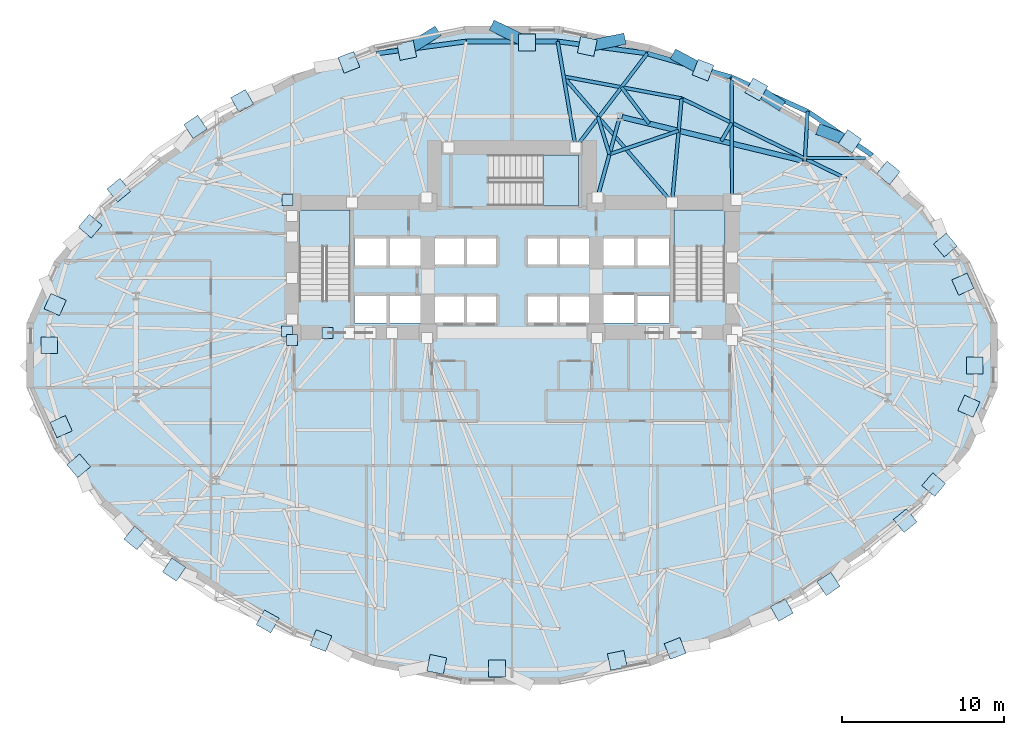
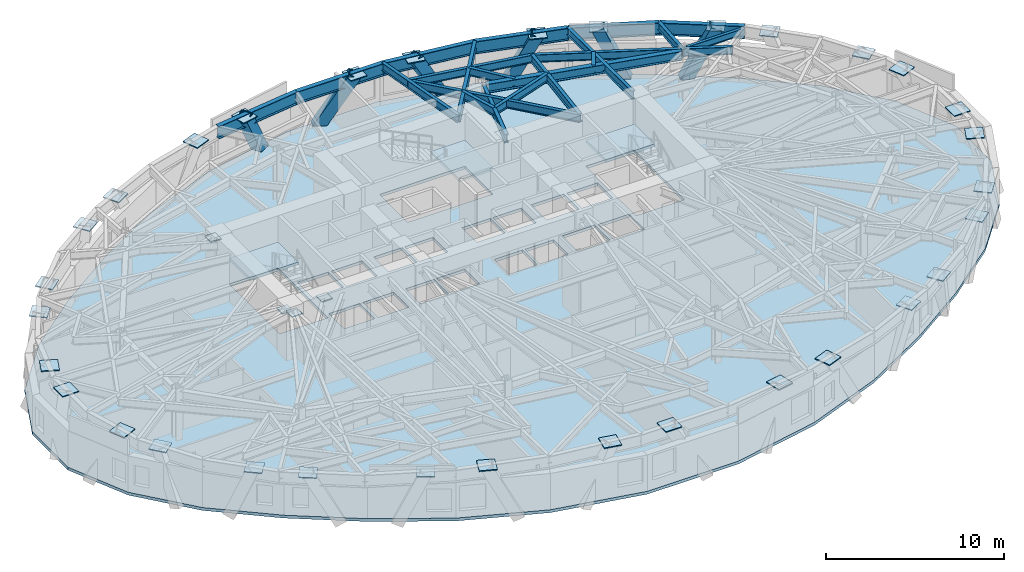
# One storey, part 5 of 14: 36 plates, 21 beams, 6 members, 4 slabs, 3 elements without a shape of their own.
"""IFC4 building model written with IfcOpenShell, lengths in metres."""

from ifc_helpers import new_model, si_unit, direction, frame, origin, origin_2d, place, context, subcontext, project, spatial, polyline, rectangle, hollow_rectangle, i_section, outline, extrude, material, layer, layer_set, material_profile, profile_set, type_object, element, aggregate, save


model = new_model("IFC4")

# Units and contexts
model_context = context("Model", 3, precision=1e-05, world=origin(), true_north=direction((0.0, 1.0)))
body_context = subcontext(model_context, "Body", "Model", "MODEL_VIEW")
ifc_project = project(units=[si_unit("LENGTHUNIT", "METRE"), si_unit("AREAUNIT", "SQUARE_METRE"), si_unit("VOLUMEUNIT", "CUBIC_METRE"), si_unit("PLANEANGLEUNIT", "RADIAN"), si_unit("MASSUNIT", "GRAM", prefix="KILO")], contexts=[model_context])

# Site, building, storey
site_placement = place(None, origin())
site = spatial("IfcSite", under=ifc_project, at=site_placement, CompositionType="ELEMENT")
building_placement = place(site_placement, origin())
building = spatial("IfcBuilding", under=site, at=building_placement, Name="Keldmark Tower", CompositionType="ELEMENT")
storey_placement = place(building_placement, frame((0.0, 0.0, 73.800048828125)))
storey = spatial("IfcBuildingStorey", under=building, at=storey_placement, Name="L19", CompositionType="ELEMENT", Elevation=73.800048828125)

# Beam
ifc_material_1 = material(Name="Steel ASTM A992 Grade 50", Category="steel")
ifc_material_profile_1 = material_profile(ifc_material_1, i_section(OverallWidth=0.19091796875, OverallDepth=0.45703125, WebThickness=0.009033203125, FlangeThickness=0.014404296875, at=origin_2d()), Name="W18X50")
ifc_profile_set_1 = profile_set([ifc_material_profile_1], Name="Steel ASTM A992 Grade 50")
beam_type_1 = type_object("IfcBeamType", Name="Composite Floor Joist W18X50", PredefinedType="JOIST", material=ifc_profile_set_1)
beam_1_placement = place(storey_placement, frame((18.265869140625, 12.199951171875, 3.13134765625), z_axis=(1.0, 0.0, 0.0), x_axis=(0.0, 1.0, 0.0)))
element("IfcBeam", 1, at=beam_1_placement, inside=storey, type_object=beam_type_1, Name="L19 Composite Floor Joist J10", PredefinedType="JOIST", context=body_context, shape_type="SweptSolid", body=[
    extrude(i_section(OverallWidth=0.19091796875, OverallDepth=0.45703125, WebThickness=0.009033203125, FlangeThickness=0.014404296875, at=origin_2d()), origin(), (0.0, 0.0, 1.0), 3.595703125),
])

# Members
ifc_material_2 = material(Name="Steel ASTM A572 Grade 50", Category="steel")
ifc_material_profile_2 = material_profile(ifc_material_2, hollow_rectangle(XDim=0.699951171875, YDim=0.699951171875, WallThickness=0.054931640625, at=origin_2d()), Name="BOX700X700X55")
ifc_profile_set_2 = profile_set([ifc_material_profile_2], Name="Steel ASTM A572 Grade 50")
member_type = type_object("IfcMemberType", Name="Diagrid Zone 1 Brace BOX700X700X55", PredefinedType="BRACE", material=ifc_profile_set_2)
member_1_placement = place(storey_placement, frame((19.180908203125, 13.884765625, -0.280029296875), z_axis=(0.429924203582, -0.164223410334, 0.887803948331), x_axis=(0.356835319894, 0.934167305399, 0.0)))
element("IfcMember", 2, at=member_1_placement, inside=storey, type_object=member_type, Name="L19 Perimeter Diagrid Brace 02B", PredefinedType="BRACE", context=body_context, shape_type="SweptSolid", body=[
    extrude(hollow_rectangle(XDim=0.699951171875, YDim=0.699951171875, WallThickness=0.054931640625, at=origin_2d()), origin(), (0.0, 0.0, 1.0), 3.96484375),
])
member_2_placement = place(storey_placement, frame((16.43994140625, 15.572509765625, -0.280029296875), z_axis=(-0.345986068701, 0.225266810478, 0.910795533784), x_axis=(-0.54562819209, -0.838027371866, 0.0)))
element("IfcMember", 3, at=member_2_placement, inside=storey, type_object=member_type, Name="L19 Perimeter Diagrid Brace 03A", PredefinedType="BRACE", context=body_context, shape_type="SweptSolid", body=[
    extrude(hollow_rectangle(XDim=0.699951171875, YDim=0.699951171875, WallThickness=0.054931640625, at=origin_2d()), origin(), (0.0, 0.0, 1.0), 3.86474609375),
])
member_3_placement = place(storey_placement, frame((10.224365234375, 18.485595703125, -0.280029296875), z_axis=(0.400836496544, -0.215887288849, 0.890349808531), x_axis=(0.474188793854, 0.880423186759, 0.0)))
element("IfcMember", 4, at=member_3_placement, inside=storey, type_object=member_type, Name="L19 Perimeter Diagrid Brace 03B", PredefinedType="BRACE", context=body_context, shape_type="SweptSolid", body=[
    extrude(hollow_rectangle(XDim=0.699951171875, YDim=0.699951171875, WallThickness=0.054931640625, at=origin_2d()), origin(), (0.0, 0.0, 1.0), 3.95361328125),
])
member_4_placement = place(storey_placement, frame((6.690185546875, 19.51611328125, -0.280029296875), z_axis=(-0.498603560791, -0.101738769918, 0.860838958146), x_axis=(0.19992782981, -0.979810626023, 0.0)))
element("IfcMember", 5, at=member_4_placement, inside=storey, type_object=member_type, Name="L19 Perimeter Diagrid Brace 04A", PredefinedType="BRACE", context=body_context, shape_type="SweptSolid", body=[
    extrude(hollow_rectangle(XDim=0.699951171875, YDim=0.699951171875, WallThickness=0.054931640625, at=origin_2d()), origin(), (0.0, 0.0, 1.0), 4.089111328125),
])
member_5_placement = place(storey_placement, frame((-0.990966796875, 20.28564453125, -0.280029296875), z_axis=(0.467374178773, -0.227910820857, 0.85417681703), x_axis=(0.438304657062, 0.898826472462, 0.0)))
element("IfcMember", 6, at=member_5_placement, inside=storey, type_object=member_type, Name="L19 Perimeter Diagrid Brace 04B", PredefinedType="BRACE", context=body_context, shape_type="SweptSolid", body=[
    extrude(hollow_rectangle(XDim=0.699951171875, YDim=0.699951171875, WallThickness=0.054931640625, at=origin_2d()), origin(), (0.0, 0.0, 1.0), 4.120849609375),
])
member_6_placement = place(storey_placement, frame((-4.825439453125, 19.899658203125, -0.280029296875), z_axis=(-0.416541239689, -0.259990855002, 0.871147605721), x_axis=(0.529490047926, -0.848316149291, 0.0)))
element("IfcMember", 7, at=member_6_placement, inside=storey, type_object=member_type, Name="L19 Perimeter Diagrid Brace 05A", PredefinedType="BRACE", context=body_context, shape_type="SweptSolid", body=[
    extrude(hollow_rectangle(XDim=0.699951171875, YDim=0.699951171875, WallThickness=0.054931640625, at=origin_2d()), origin(), (0.0, 0.0, 1.0), 4.040771484375),
])

# Beams
ifc_material_3 = material(Name="Steel ASTM A992 Grade 50", Category="steel")
ifc_material_profile_3 = material_profile(ifc_material_3, i_section(OverallWidth=0.323974609375, OverallDepth=0.611083984375, WebThickness=0.0126953125, FlangeThickness=0.01904296875, at=origin_2d()), Name="W24X104")
ifc_profile_set_3 = profile_set([ifc_material_profile_3], Name="Steel ASTM A992 Grade 50")
beam_type_2 = type_object("IfcBeamType", Name="Primary Floor Girder W24X104", PredefinedType="BEAM", material=ifc_profile_set_3)
beam_2_placement = place(storey_placement, frame((17.961669921875, 12.040283203125, 3.054443359375), z_axis=(-0.972218707757, 0.2340743136, 0.0), x_axis=(-0.2340743136, -0.972218707757, 0.0)))
element("IfcBeam", 8, at=beam_2_placement, inside=storey, type_object=beam_type_2, Name="L19 Floor Ring Girder FG-R02", PredefinedType="BEAM", context=body_context, shape_type="SweptSolid", body=[
    extrude(i_section(OverallWidth=0.323974609375, OverallDepth=0.611083984375, WebThickness=0.0126953125, FlangeThickness=0.01904296875, at=origin_2d()), origin(), (0.0, 0.0, 1.0), 11.479248046875),
])
ifc_material_4 = material(Name="Steel ASTM A992 Grade 50", Category="steel")
ifc_material_profile_4 = material_profile(ifc_material_4, i_section(OverallWidth=0.2099609375, OverallDepth=0.537109375, WebThickness=0.010986328125, FlangeThickness=0.017333984375, at=origin_2d()), Name="W21X68")
ifc_profile_set_4 = profile_set([ifc_material_profile_4], Name="Steel ASTM A992 Grade 50")
beam_type_3 = type_object("IfcBeamType", Name="Radial Tie Girder W21X68", PredefinedType="BEAM", material=ifc_profile_set_4)
beam_3_placement = place(storey_placement, frame((6.023681640625, 12.43505859375, 3.091552734375), z_axis=(0.94705974937, 0.321057364225, 0.0), x_axis=(-0.321057364225, 0.94705974937, 0.0)))
element("IfcBeam", 9, at=beam_3_placement, inside=storey, type_object=beam_type_3, Name="L19 Framing Pin Header PH-002", PredefinedType="BEAM", context=body_context, shape_type="SweptSolid", body=[
    extrude(i_section(OverallWidth=0.2099609375, OverallDepth=0.537109375, WebThickness=0.010986328125, FlangeThickness=0.017333984375, at=origin_2d()), origin(), (0.0, 0.0, 1.0), 4.515380859375),
])
beam_4_placement = place(storey_placement, frame((9.892822265625, 9.449951171875, 3.091552734375), z_axis=(0.091445392317, 0.995810092449, 0.0), x_axis=(-0.995810092449, 0.091445392317, 0.0)))
element("IfcBeam", 10, at=beam_4_placement, inside=storey, type_object=beam_type_3, Name="L19 Sub-Ring Step Girder STP1-M02", PredefinedType="BEAM", context=body_context, shape_type="SweptSolid", body=[
    extrude(i_section(OverallWidth=0.2099609375, OverallDepth=0.537109375, WebThickness=0.010986328125, FlangeThickness=0.017333984375, at=origin_2d()), origin(), (0.0, 0.0, 1.0), 6.4609375),
])
beam_5_placement = place(storey_placement, frame((6.023681640625, 12.43505859375, 3.091552734375), z_axis=(-0.292695535951, 0.956205690861, 0.0), x_axis=(-0.956205690861, -0.292695535951, 0.0)))
element("IfcBeam", 11, at=beam_5_placement, inside=storey, type_object=beam_type_3, Name="L19 Framing Pin Header PH-003", PredefinedType="BEAM", context=body_context, shape_type="SweptSolid", body=[
    extrude(i_section(OverallWidth=0.2099609375, OverallDepth=0.537109375, WebThickness=0.010986328125, FlangeThickness=0.017333984375, at=origin_2d()), origin(), (0.0, 0.0, 1.0), 2.431396484375),
])
beam_6_placement = place(storey_placement, frame((9.892822265625, 9.449951171875, 3.091552734375), z_axis=(-0.653199645418, 0.757185725714, 0.0), x_axis=(-0.757185725714, -0.653199645418, 0.0)))
element("IfcBeam", 12, at=beam_6_placement, inside=storey, type_object=beam_type_3, Name="L19 Sub-Ring Step Girder STP1-M03", PredefinedType="BEAM", context=body_context, shape_type="SweptSolid", body=[
    extrude(i_section(OverallWidth=0.2099609375, OverallDepth=0.537109375, WebThickness=0.010986328125, FlangeThickness=0.017333984375, at=origin_2d()), origin(), (0.0, 0.0, 1.0), 10.2880859375),
])
beam_7_placement = place(storey_placement, frame((20.64306640625, 10.931396484375, 3.091552734375), z_axis=(-0.898887784258, 0.438178903316, 0.0), x_axis=(-0.438178903316, -0.898887784258, 0.0)))
element("IfcBeam", 13, at=beam_7_placement, inside=storey, type_object=beam_type_3, Name="L19 Perimeter Collector Ring Beam CRG1-M01", PredefinedType="BEAM", context=body_context, shape_type="SweptSolid", body=[
    extrude(i_section(OverallWidth=0.2099609375, OverallDepth=0.537109375, WebThickness=0.010986328125, FlangeThickness=0.017333984375, at=origin_2d()), origin(), (0.0, 0.0, 1.0), 11.30224609375),
])
beam_8_placement = place(storey_placement, frame((10.483642578125, 15.8837890625, 3.091552734375), z_axis=(-0.983226438752, 0.182389062555, 0.0), x_axis=(-0.182389062555, -0.983226438752, 0.0)))
element("IfcBeam", 14, at=beam_8_placement, inside=storey, type_object=beam_type_3, Name="L19 Perimeter Collector Ring Beam CRG1-M02", PredefinedType="BEAM", context=body_context, shape_type="SweptSolid", body=[
    extrude(i_section(OverallWidth=0.2099609375, OverallDepth=0.537109375, WebThickness=0.010986328125, FlangeThickness=0.017333984375, at=origin_2d()), origin(), (0.0, 0.0, 1.0), 7.435791015625),
])
beam_9_placement = place(storey_placement, frame((18.09765625, 12.00732421875, 3.091552734375), z_axis=(0.056280082342, 0.998415020085, 0.0), x_axis=(-0.998415020085, 0.056280082342, 0.0)))
element("IfcBeam", 15, at=beam_9_placement, inside=storey, type_object=beam_type_3, Name="L19 Perimeter Column Bracket RT-05", PredefinedType="BEAM", context=body_context, shape_type="SweptSolid", body=[
    extrude(i_section(OverallWidth=0.2099609375, OverallDepth=0.537109375, WebThickness=0.010986328125, FlangeThickness=0.017333984375, at=origin_2d()), origin(), (0.0, 0.0, 1.0), 3.0712890625),
])
beam_10_placement = place(storey_placement, frame((12.939453125, 13.249267578125, 3.091552734375), z_axis=(0.498857172515, 0.866684210904, 0.0), x_axis=(-0.866684210904, 0.498857172515, 0.0)))
element("IfcBeam", 16, at=beam_10_placement, inside=storey, type_object=beam_type_3, Name="L19 Framing Pin Header PH-018", PredefinedType="BEAM", context=body_context, shape_type="SweptSolid", body=[
    extrude(i_section(OverallWidth=0.2099609375, OverallDepth=0.537109375, WebThickness=0.010986328125, FlangeThickness=0.017333984375, at=origin_2d()), origin(), (0.0, 0.0, 1.0), 1.294921875),
])
beam_11_placement = place(storey_placement, frame((13.60009765625, 9.89990234375, 3.091552734375), z_axis=(-0.003278561216, 0.999994625504, 0.0), x_axis=(-0.999994625504, -0.003278561216, 0.0)))
element("IfcBeam", 17, at=beam_11_placement, inside=storey, type_object=beam_type_3, Name="L19 Perimeter Radial Tie Girder RT-06", PredefinedType="BEAM", context=body_context, shape_type="SweptSolid", body=[
    extrude(i_section(OverallWidth=0.2099609375, OverallDepth=0.537109375, WebThickness=0.010986328125, FlangeThickness=0.017333984375, at=origin_2d()), origin(), (0.0, 0.0, 1.0), 7.297607421875),
])
beam_12_placement = place(storey_placement, frame((8.475341796875, 14.32421875, 3.091552734375), z_axis=(-0.604104239803, 0.796905306453, 0.0), x_axis=(-0.796905306453, -0.604104239803, 0.0)))
element("IfcBeam", 18, at=beam_12_placement, inside=storey, type_object=beam_type_3, Name="L19 Framing Pin Header PH-019", PredefinedType="BEAM", context=body_context, shape_type="SweptSolid", body=[
    extrude(i_section(OverallWidth=0.2099609375, OverallDepth=0.537109375, WebThickness=0.010986328125, FlangeThickness=0.017333984375, at=origin_2d()), origin(), (0.0, 0.0, 1.0), 2.8212890625),
])
beam_13_placement = place(storey_placement, frame((3.9375, 12.85009765625, 3.091552734375), z_axis=(0.605671432764, 0.795714845616, 0.0), x_axis=(-0.795714845616, 0.605671432764, 0.0)))
element("IfcBeam", 19, at=beam_13_placement, inside=storey, type_object=beam_type_3, Name="L19 Perimeter Radial Tie Girder RT-07", PredefinedType="BEAM", context=body_context, shape_type="SweptSolid", body=[
    extrude(i_section(OverallWidth=0.2099609375, OverallDepth=0.537109375, WebThickness=0.010986328125, FlangeThickness=0.017333984375, at=origin_2d()), origin(), (0.0, 0.0, 1.0), 7.302001953125),
])
beam_14_placement = place(storey_placement, frame((3.9375, 12.85009765625, 3.091552734375), z_axis=(-0.167595137115, 0.985855907329, 0.0), x_axis=(-0.985855907329, -0.167595137115, 0.0)))
element("IfcBeam", 20, at=beam_14_placement, inside=storey, type_object=beam_type_3, Name="L19 Perimeter Radial Tie Girder RT-08", PredefinedType="BEAM", context=body_context, shape_type="SweptSolid", body=[
    extrude(i_section(OverallWidth=0.2099609375, OverallDepth=0.537109375, WebThickness=0.010986328125, FlangeThickness=0.017333984375, at=origin_2d()), origin(), (0.0, 0.0, 1.0), 6.64990234375),
])
ifc_material_5 = material(Name="Steel ASTM A992 Grade 50", Category="steel")
ifc_material_profile_5 = material_profile(ifc_material_5, i_section(OverallWidth=0.214111328125, OverallDepth=0.549072265625, WebThickness=0.0146484375, FlangeThickness=0.023681640625, at=origin_2d()), Name="W21X93")
ifc_profile_set_5 = profile_set([ifc_material_profile_5], Name="Steel ASTM A992 Grade 50")
beam_type_4 = type_object("IfcBeamType", Name="Radial Tie Girder W21X93", PredefinedType="BEAM", material=ifc_profile_set_5)
beam_15_placement = place(storey_placement, frame((6.6279296875, 14.625, 3.08544921875), z_axis=(-0.265984786353, -0.963977226613, 0.0), x_axis=(0.963977226613, -0.265984786353, 0.0)))
element("IfcBeam", 21, at=beam_15_placement, inside=storey, type_object=beam_type_4, Name="L19 Floor Radial Girder FG-C03", PredefinedType="BEAM", context=body_context, shape_type="SweptSolid", body=[
    extrude(i_section(OverallWidth=0.214111328125, OverallDepth=0.549072265625, WebThickness=0.0146484375, FlangeThickness=0.023681640625, at=origin_2d()), origin(), (0.0, 0.0, 1.0), 5.04833984375),
])
ifc_material_6 = material(Name="Steel ASTM A992 Grade 50", Category="steel")
ifc_material_profile_6 = material_profile(ifc_material_6, i_section(OverallWidth=0.2919921875, OverallDepth=0.85888671875, WebThickness=0.01708984375, FlangeThickness=0.031005859375, at=origin_2d()), Name="W33X169")
ifc_profile_set_6 = profile_set([ifc_material_profile_6], Name="Steel ASTM A992 Grade 50")
beam_type_5 = type_object("IfcBeamType", Name="Spandrel Ring Beam W33X169", PredefinedType="SPANDREL", material=ifc_profile_set_6)
beam_16_placement = place(storey_placement, frame((22.2626953125, 12.37060546875, 2.930419921875), z_axis=(-0.82804003003, 0.560668983151, 0.0), x_axis=(-0.560668983151, -0.82804003003, 0.0)))
element("IfcBeam", 22, at=beam_16_placement, inside=storey, type_object=beam_type_5, Name="L19 Perimeter Spandrel Ring Beam SRB-04", PredefinedType="SPANDREL", context=body_context, shape_type="SweptSolid", body=[
    extrude(i_section(OverallWidth=0.2919921875, OverallDepth=0.85888671875, WebThickness=0.01708984375, FlangeThickness=0.031005859375, at=origin_2d()), origin(), (0.0, 0.0, 1.0), 4.8212890625),
])
beam_17_placement = place(storey_placement, frame((18.2705078125, 15.07373046875, 2.930419921875), z_axis=(-0.911096907159, 0.412192219439, 0.0), x_axis=(-0.412192219439, -0.911096907159, 0.0)))
element("IfcBeam", 23, at=beam_17_placement, inside=storey, type_object=beam_type_5, Name="L19 Perimeter Spandrel Ring Beam SRB-05", PredefinedType="SPANDREL", context=body_context, shape_type="SweptSolid", body=[
    extrude(i_section(OverallWidth=0.2919921875, OverallDepth=0.85888671875, WebThickness=0.01708984375, FlangeThickness=0.031005859375, at=origin_2d()), origin(), (0.0, 0.0, 1.0), 5.15234375),
])
beam_18_placement = place(storey_placement, frame((13.576171875, 17.197509765625, 2.930419921875), z_axis=(-0.962849260033, 0.270039446109, 0.0), x_axis=(-0.270039446109, -0.962849260033, 0.0)))
element("IfcBeam", 24, at=beam_18_placement, inside=storey, type_object=beam_type_5, Name="L19 Perimeter Spandrel Ring Beam SRB-06", PredefinedType="SPANDREL", context=body_context, shape_type="SweptSolid", body=[
    extrude(i_section(OverallWidth=0.2919921875, OverallDepth=0.85888671875, WebThickness=0.01708984375, FlangeThickness=0.031005859375, at=origin_2d()), origin(), (0.0, 0.0, 1.0), 5.417236328125),
])
beam_19_placement = place(storey_placement, frame((8.360107421875, 18.660400390625, 2.930419921875), z_axis=(-0.99105532763, 0.133451630096, 0.0), x_axis=(-0.133451630096, -0.99105532763, 0.0)))
element("IfcBeam", 25, at=beam_19_placement, inside=storey, type_object=beam_type_5, Name="L19 Perimeter Spandrel Ring Beam SRB-07", PredefinedType="SPANDREL", context=body_context, shape_type="SweptSolid", body=[
    extrude(i_section(OverallWidth=0.2919921875, OverallDepth=0.85888671875, WebThickness=0.01708984375, FlangeThickness=0.031005859375, at=origin_2d()), origin(), (0.0, 0.0, 1.0), 5.587158203125),
])
beam_20_placement = place(storey_placement, frame((2.822998046875, 19.406005859375, 2.930419921875), z_axis=(-1.0, 0.0, 0.0), x_axis=(0.0, -1.0, 0.0)))
element("IfcBeam", 26, at=beam_20_placement, inside=storey, type_object=beam_type_5, Name="L19 Perimeter Spandrel Ring Beam SRB-08", PredefinedType="SPANDREL", context=body_context, shape_type="SweptSolid", body=[
    extrude(i_section(OverallWidth=0.2919921875, OverallDepth=0.85888671875, WebThickness=0.01708984375, FlangeThickness=0.031005859375, at=origin_2d()), origin(), (0.0, 0.0, 1.0), 5.64599609375),
])
beam_21_placement = place(storey_placement, frame((-2.822998046875, 19.406005859375, 2.930419921875), z_axis=(-0.99105532763, -0.133451630096, 0.0), x_axis=(0.133451630096, -0.99105532763, 0.0)))
element("IfcBeam", 27, at=beam_21_placement, inside=storey, type_object=beam_type_5, Name="L19 Perimeter Spandrel Ring Beam SRB-09", PredefinedType="SPANDREL", context=body_context, shape_type="SweptSolid", body=[
    extrude(i_section(OverallWidth=0.2919921875, OverallDepth=0.85888671875, WebThickness=0.01708984375, FlangeThickness=0.031005859375, at=origin_2d()), origin(), (0.0, 0.0, 1.0), 5.587158203125),
])

# Plates
ifc_material_7 = material(Name="Steel ASTM A572 Grade 50", Category="steel")
ifc_layer_1 = layer(ifc_material_7, 0.06005859375)
ifc_layer_set_1 = layer_set([ifc_layer_1], Name="Steel ASTM A572 Grade 50")
plate_type_1 = type_object("IfcPlateType", Name="Belt Truss Kink Node Assembly KN01 60 mm", PredefinedType="USERDEFINED", material=ifc_layer_set_1)
for number, where, z_axis, x_axis, name in (
    (28, (-13.878173828125, 9.608154296875, 3.05810546875), (0.0, 0.0, 1.0), (1.0, 0.0, 0.0), "L19 Core Wall Cast-In Embed Plate 495"),
    (29, (-13.91162109375, 1.473388671875, 3.05810546875), (0.0, 0.0, 1.0), (1.0, 0.0, 0.0), "L19 Core Wall Cast-In Embed Plate 496"),
    (30, (-13.60009765625, 0.949951171875, 3.06396484375), (0.0, 0.0, 1.0), (1.0, 0.0, 0.0), "L19 Core Wall Cast-In Embed Plate 501"),
    (31, (-11.392822265625, 1.39990234375, 3.06396484375), (0.0, 0.0, 1.0), (1.0, 0.0, 0.0), "L19 Core Wall Cast-In Embed Plate 511"),
):
    element("IfcPlate", number, at=place(storey_placement, frame(where, z_axis=z_axis, x_axis=x_axis)), inside=storey, type_object=plate_type_1, Name=name, ObjectType="CAP PLATE", PredefinedType="USERDEFINED", context=body_context, shape_type="SweptSolid", body=[
        extrude(rectangle(XDim=0.679931640625, YDim=0.679931640625, at=origin_2d()), origin(), (0.0, 0.0, 1.0), 0.054931640625),
    ])
ifc_material_8 = material(Name="Steel ASTM A572 Grade 50", Category="steel")
ifc_layer_2 = layer(ifc_material_8, 0.06494140625)
ifc_layer_set_2 = layer_set([ifc_layer_2], Name="Steel ASTM A572 Grade 50")
plate_type_2 = type_object("IfcPlateType", Name="Diagrid Node Assembly DN02 65 mm", PredefinedType="USERDEFINED", material=ifc_layer_set_2)
for number, where, z_axis, x_axis, name in (
    (32, (27.8671875, 4.40478515625, 3.20751953125), (0.0, 0.0, 1.0), (-0.408330460381, 0.912834177233, 0.0), "L19 Diagrid Node Assembly 01"),
    (33, (26.7822265625, 6.8203125, 3.20751953125), (0.0, 0.0, 1.0), (-0.645724263505, 0.763570674869, 0.0), "L19 Diagrid Node Assembly 02"),
    (34, (23.25537109375, 11.282958984375, 3.20751953125), (0.0, 0.0, 1.0), (-0.773729652124, 0.633515923575, 0.0), "L19 Diagrid Node Assembly 03"),
    (35, (20.885498046875, 13.233642578125, 3.20751953125), (0.0, 0.0, 1.0), (-0.827668733006, 0.561216953062, 0.0), "L19 Diagrid Node Assembly 04"),
    (36, (15.102783203125, 16.443115234375, 3.20751953125), (0.0, 0.0, 1.0), (-0.871898392604, 0.48968683153, 0.0), "L19 Diagrid Node Assembly 05"),
    (37, (11.80908203125, 17.632080078125, 3.20751953125), (0.0, 0.0, 1.0), (-0.932007869283, 0.362438038284, 0.0), "L19 Diagrid Node Assembly 06"),
    (38, (4.6513671875, 19.10009765625, 3.20751953125), (0.0, 0.0, 1.0), (-0.979505000486, 0.201419845156, 0.0), "L19 Diagrid Node Assembly 07"),
    (39, (0.93505859375, 19.346435546875, 3.20751953125), (0.0, 0.0, 1.0), (-1.0, 0.0, 0.0), "L19 Diagrid Node Assembly 08"),
    (40, (-6.508544921875, 18.84912109375, 3.20751953125), (0.0, 0.0, 1.0), (-0.979505000486, -0.201419845156, 0.0), "L19 Diagrid Node Assembly 09"),
    (41, (-10.08154296875, 18.115234375, 3.20751953125), (0.0, 0.0, 1.0), (-0.932007869283, -0.362438038284, 0.0), "L19 Diagrid Node Assembly 10"),
    (42, (-16.677490234375, 15.728759765625, 3.20751953125), (0.0, 0.0, 1.0), (-0.871898392604, -0.48968683153, 0.0), "L19 Diagrid Node Assembly 11"),
    (43, (-19.56298828125, 14.126220703125, 3.20751953125), (0.0, 0.0, 1.0), (-0.827668733006, -0.561216953062, 0.0), "L19 Diagrid Node Assembly 12"),
    (44, (-24.307373046875, 10.213623046875, 3.20751953125), (0.0, 0.0, 1.0), (-0.773729652124, -0.633515923575, 0.0), "L19 Diagrid Node Assembly 13"),
    (45, (-26.066650390625, 7.98681640625, 3.20751953125), (0.0, 0.0, 1.0), (-0.645724263505, -0.763570674869, 0.0), "L19 Diagrid Node Assembly 14"),
    (46, (-28.23681640625, 3.143798828125, 3.20751953125), (0.0, 0.0, 1.0), (-0.408330460381, -0.912834177233, 0.0), "L19 Diagrid Node Assembly 15"),
    (47, (-28.6015625, 0.631103515625, 3.20751953125), (0.0, 0.0, 1.0), (0.0, -1.0, 0.0), "L19 Diagrid Node Assembly 16"),
    (48, (-27.8671875, -4.40478515625, 3.20751953125), (0.0, 0.0, 1.0), (0.408330460381, -0.912834177233, 0.0), "L19 Diagrid Node Assembly 17"),
    (49, (-26.7822265625, -6.8203125, 3.20751953125), (0.0, 0.0, 1.0), (0.645724263505, -0.763570674869, 0.0), "L19 Diagrid Node Assembly 18"),
    (50, (-23.25537109375, -11.282958984375, 3.20751953125), (0.0, 0.0, 1.0), (0.773729652124, -0.633515923575, 0.0), "L19 Diagrid Node Assembly 19"),
    (51, (-20.885498046875, -13.233642578125, 3.20751953125), (0.0, 0.0, 1.0), (0.827668733006, -0.561216953062, 0.0), "L19 Diagrid Node Assembly 20"),
    (52, (-15.102783203125, -16.443115234375, 3.20751953125), (0.0, 0.0, 1.0), (0.871898392604, -0.48968683153, 0.0), "L19 Diagrid Node Assembly 21"),
    (53, (-11.80908203125, -17.632080078125, 3.20751953125), (0.0, 0.0, 1.0), (0.932007869283, -0.362438038284, 0.0), "L19 Diagrid Node Assembly 22"),
    (54, (-4.6513671875, -19.10009765625, 3.20751953125), (0.0, 0.0, 1.0), (0.979505000486, -0.201419845156, 0.0), "L19 Diagrid Node Assembly 23"),
    (55, (-0.93505859375, -19.346435546875, 3.20751953125), (0.0, 0.0, 1.0), (1.0, 0.0, 0.0), "L19 Diagrid Node Assembly 24"),
    (56, (6.508544921875, -18.84912109375, 3.20751953125), (0.0, 0.0, 1.0), (0.979505000486, 0.201419845156, 0.0), "L19 Diagrid Node Assembly 25"),
    (57, (10.08154296875, -18.115234375, 3.20751953125), (0.0, 0.0, 1.0), (0.932007869283, 0.362438038284, 0.0), "L19 Diagrid Node Assembly 26"),
    (58, (16.677490234375, -15.728759765625, 3.20751953125), (0.0, 0.0, 1.0), (0.871898392604, 0.48968683153, 0.0), "L19 Diagrid Node Assembly 27"),
    (59, (19.56298828125, -14.126220703125, 3.20751953125), (0.0, 0.0, 1.0), (0.827668733006, 0.561216953062, 0.0), "L19 Diagrid Node Assembly 28"),
    (60, (24.307373046875, -10.213623046875, 3.20751953125), (0.0, 0.0, 1.0), (0.773729652124, 0.633515923575, 0.0), "L19 Diagrid Node Assembly 29"),
    (61, (26.066650390625, -7.98681640625, 3.20751953125), (0.0, 0.0, 1.0), (0.645724263505, 0.763570674869, 0.0), "L19 Diagrid Node Assembly 30"),
    (62, (28.23681640625, -3.143798828125, 3.20751953125), (0.0, 0.0, 1.0), (0.408330460381, 0.912834177233, 0.0), "L19 Diagrid Node Assembly 31"),
    (63, (28.6015625, -0.631103515625, 3.20751953125), (0.0, 0.0, 1.0), (0.0, 1.0, 0.0), "L19 Diagrid Node Assembly 32"),
):
    element("IfcPlate", number, at=place(storey_placement, frame(where, z_axis=z_axis, x_axis=x_axis)), inside=storey, type_object=plate_type_2, Name=name, ObjectType="GUSSET", PredefinedType="USERDEFINED", context=body_context, shape_type="SweptSolid", body=[
        extrude(rectangle(XDim=1.0400390625, YDim=1.0400390625, at=origin_2d()), origin(), (0.0, 0.0, 1.0), 0.06494140625),
    ])

# Slab
ifc_material_9 = material(Name="Concrete C35/45", Category="concrete")
ifc_layer_3 = layer(ifc_material_9, 0.199951171875)
ifc_layer_set_3 = layer_set([ifc_layer_3], Name="Concrete C35/45")
slab_type_1 = type_object("IfcSlabType", Name="Low-Rise Office Composite Slab 200 mm", PredefinedType="FLOOR", material=ifc_layer_set_3)
slab_1_placement = place(storey_placement, frame((0.0, 0.0, -0.199951171875)))
element("IfcSlab", 64, at=slab_1_placement, inside=storey, type_object=slab_type_1, Name="L19 Composite Structural Floor Slab", PredefinedType="FLOOR", context=body_context, shape_type="SweptSolid", body=[
    extrude(outline(polyline([(30.004150390625, 2.00390625), (28.296630859375, 5.8203125), (25.42578125, 9.21533203125), (21.838134765625, 12.152587890625), (17.922119140625, 14.80810546875), (13.59033203125, 17.240966796875), (8.583740234375, 19.1875), (2.955078125, 20.34521484375), (-2.955078125, 20.34521484375), (-8.583740234375, 19.1875), (-13.59033203125, 17.240966796875), (-17.922119140625, 14.80810546875), (-21.838134765625, 12.152587890625), (-25.42578125, 9.21533203125), (-28.296630859375, 5.8203125), (-30.004150390625, 2.00390625), (-30.004150390625, -2.00390625), (-28.296630859375, -5.8203125), (-25.42578125, -9.21533203125), (-21.838134765625, -12.152587890625), (-17.922119140625, -14.80810546875), (-13.59033203125, -17.240966796875), (-8.583740234375, -19.1875), (-2.955078125, -20.34521484375), (2.955078125, -20.34521484375), (8.583740234375, -19.1875), (13.59033203125, -17.240966796875), (17.922119140625, -14.80810546875), (21.838134765625, -12.152587890625), (25.42578125, -9.21533203125), (28.296630859375, -5.8203125), (30.004150390625, -2.00390625), (30.004150390625, 2.00390625)]), holes=[polyline([(-10.0, 3.385009765625), (-10.0, 9.0), (-13.14990234375, 9.0), (-13.14990234375, 3.385009765625), (-10.0, 3.385009765625)]), polyline([(13.14990234375, 3.385009765625), (13.14990234375, 9.0), (10.0, 9.0), (10.0, 3.385009765625), (13.14990234375, 3.385009765625)]), polyline([(-1.43994140625, 9.25), (4.10498046875, 9.25), (4.10498046875, 12.39990234375), (-1.43994140625, 12.39990234375), (-1.43994140625, 9.25)]), polyline([(-9.75, 2.0), (-7.75, 2.0), (-7.75, 3.699951171875), (-9.75, 3.699951171875), (-9.75, 2.0)]), polyline([(7.75, 2.0), (9.75, 2.0), (9.75, 3.699951171875), (7.75, 3.699951171875), (7.75, 2.0)]), polyline([(5.449951171875, 2.0), (7.550048828125, 2.0), (7.550048828125, 3.75), (5.449951171875, 3.75), (5.449951171875, 2.0)]), polyline([(-4.800048828125, 2.0), (-2.949951171875, 2.0), (-2.949951171875, 3.64990234375), (-4.800048828125, 3.64990234375), (-4.800048828125, 2.0)]), polyline([(-2.800048828125, 2.0), (-0.949951171875, 2.0), (-0.949951171875, 3.64990234375), (-2.800048828125, 3.64990234375), (-2.800048828125, 2.0)]), polyline([(0.949951171875, 2.0), (2.800048828125, 2.0), (2.800048828125, 3.64990234375), (0.949951171875, 3.64990234375), (0.949951171875, 2.0)]), polyline([(2.949951171875, 2.0), (4.800048828125, 2.0), (4.800048828125, 3.64990234375), (2.949951171875, 3.64990234375), (2.949951171875, 2.0)]), polyline([(-4.800048828125, 5.60009765625), (-2.949951171875, 5.60009765625), (-2.949951171875, 7.25), (-4.800048828125, 7.25), (-4.800048828125, 5.60009765625)]), polyline([(-2.800048828125, 5.60009765625), (-0.949951171875, 5.60009765625), (-0.949951171875, 7.25), (-2.800048828125, 7.25), (-2.800048828125, 5.60009765625)]), polyline([(0.949951171875, 5.60009765625), (2.800048828125, 5.60009765625), (2.800048828125, 7.25), (0.949951171875, 7.25), (0.949951171875, 5.60009765625)]), polyline([(2.949951171875, 5.60009765625), (4.800048828125, 5.60009765625), (4.800048828125, 7.25), (2.949951171875, 7.25), (2.949951171875, 5.60009765625)]), polyline([(-9.75, 5.550048828125), (-7.75, 5.550048828125), (-7.75, 7.25), (-9.75, 7.25), (-9.75, 5.550048828125)]), polyline([(-7.550048828125, 5.550048828125), (-5.550048828125, 5.550048828125), (-5.550048828125, 7.25), (-7.550048828125, 7.25), (-7.550048828125, 5.550048828125)]), polyline([(-7.550048828125, 2.0), (-5.550048828125, 2.0), (-5.550048828125, 3.699951171875), (-7.550048828125, 3.699951171875), (-7.550048828125, 2.0)]), polyline([(5.449951171875, 5.550048828125), (7.550048828125, 5.550048828125), (7.550048828125, 7.25), (5.449951171875, 7.25), (5.449951171875, 5.550048828125)]), polyline([(7.75, 5.550048828125), (9.75, 5.550048828125), (9.75, 7.25), (7.75, 7.25), (7.75, 5.550048828125)])]), origin(), (0.0, 0.0, 1.0), 0.199951171875),
])

# Stair, slab
ifc_material_10 = material(Name="Concrete C40/50", Category="concrete")
stair_type = type_object("IfcStairType", Name="Precast Concrete Core Exit Stair", PredefinedType="HALF_TURN_STAIR", material=ifc_material_10)
stair_1_placement = place(storey_placement, origin())
stair_1 = element("IfcStair", 65, at=stair_1_placement, inside=storey, type_object=stair_type, Name="L19 Exit Stair ST1", PredefinedType="HALF_TURN_STAIR")
ifc_material_11 = material(Name="Concrete C40/50", Category="concrete")
ifc_layer_4 = layer(ifc_material_11, 0.199951171875)
ifc_layer_set_4 = layer_set([ifc_layer_4], Name="Concrete C40/50")
slab_type_2 = type_object("IfcSlabType", Name="Reinforced Concrete Stair Landing 200 mm", PredefinedType="LANDING", material=ifc_layer_set_4)
slab_2_placement = place(storey_placement, frame((0.0, 0.0, 1.599853515625)))
slab_2 = element("IfcSlab", 66, at=slab_2_placement, type_object=slab_type_2, Name="ST1 landing 1", PredefinedType="LANDING", context=body_context, shape_type="SweptSolid", body=[
    extrude(outline(polyline([(-10.0, 6.72998046875), (-10.0, 9.0), (-13.14990234375, 9.0), (-13.14990234375, 6.72998046875), (-10.0, 6.72998046875)])), origin(), (0.0, 0.0, 1.0), 0.2001953125),
])
aggregate(stair_1, [slab_2])

stair_2_placement = place(storey_placement, origin())
stair_2 = element("IfcStair", 67, at=stair_2_placement, inside=storey, type_object=stair_type, Name="L19 Exit Stair ST2", PredefinedType="HALF_TURN_STAIR")
slab_3_placement = place(storey_placement, frame((0.0, 0.0, 1.599853515625)))
slab_3 = element("IfcSlab", 68, at=slab_3_placement, type_object=slab_type_2, Name="ST2 landing 1", PredefinedType="LANDING", context=body_context, shape_type="SweptSolid", body=[
    extrude(outline(polyline([(13.14990234375, 6.72998046875), (13.14990234375, 9.0), (10.0, 9.0), (10.0, 6.72998046875), (13.14990234375, 6.72998046875)])), origin(), (0.0, 0.0, 1.0), 0.2001953125),
])
aggregate(stair_2, [slab_3])

stair_3_placement = place(storey_placement, origin())
stair_3 = element("IfcStair", 69, at=stair_3_placement, inside=storey, type_object=stair_type, Name="L19 Exit Stair ST3", PredefinedType="HALF_TURN_STAIR")
slab_4_placement = place(storey_placement, frame((0.0, 0.0, 1.599853515625)))
slab_4 = element("IfcSlab", 70, at=slab_4_placement, type_object=slab_type_2, Name="ST3 landing 1", PredefinedType="LANDING", context=body_context, shape_type="SweptSolid", body=[
    extrude(outline(polyline([(1.905029296875, 9.25), (4.10498046875, 9.25), (4.10498046875, 12.39990234375), (1.905029296875, 12.39990234375), (1.905029296875, 9.25)])), origin(), (0.0, 0.0, 1.0), 0.2001953125),
])
aggregate(stair_3, [slab_4])

save(model, "model.ifc")
